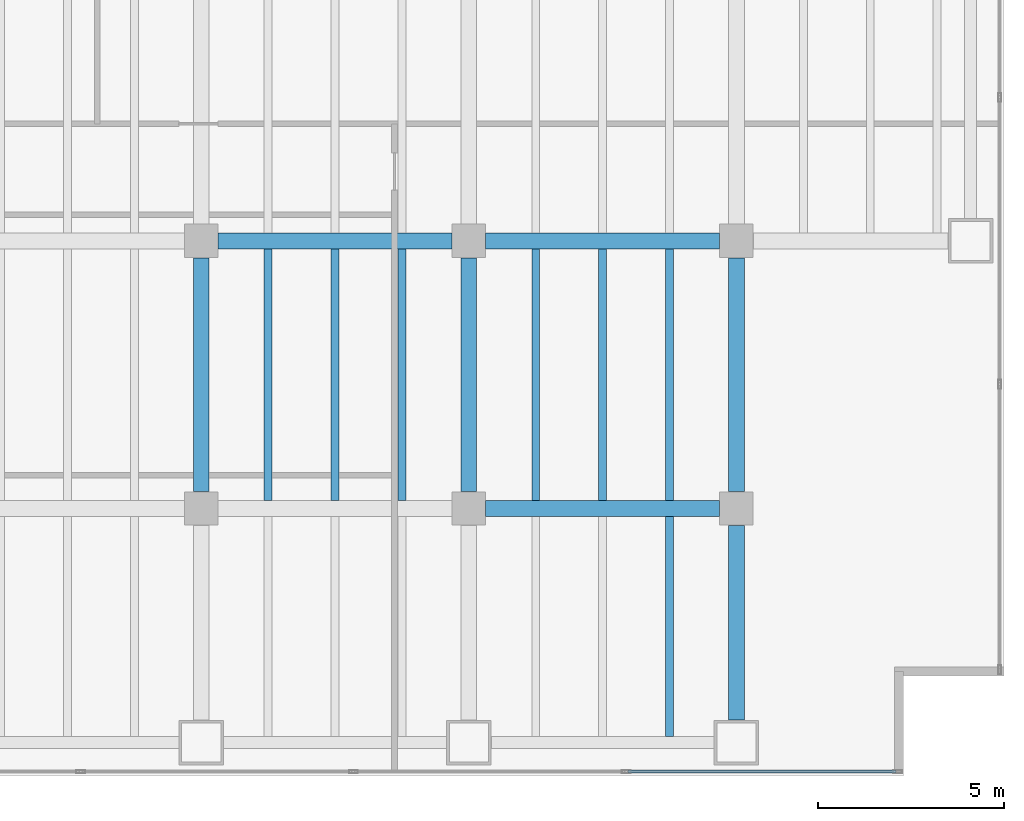
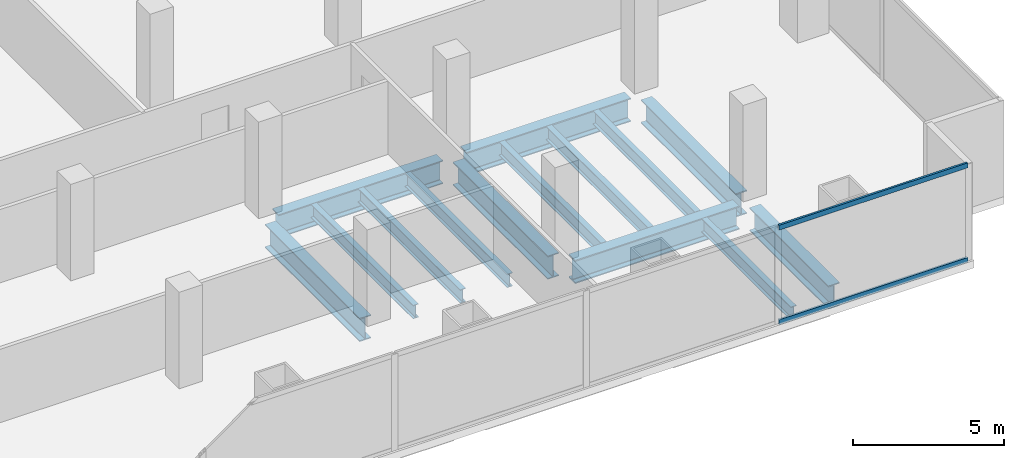
# One storey, part 17 of 29: 14 beams, 2 members, 1 element without a shape of its own.
"""IFC4 building model written with IfcOpenShell, lengths in metres."""

from ifc_helpers import new_model, si_unit, direction, frame, origin, origin_2d, place, context, subcontext, project, spatial, hollow_rectangle, i_section, extrude, material, material_profile, profile_set, type_object, element, aggregate, save


model = new_model("IFC4")

# Units and contexts
model_context = context("Model", 3, precision=1e-05, world=origin(), true_north=direction((0.0, 1.0)))
body_context = subcontext(model_context, "Body", "Model", "MODEL_VIEW")
ifc_project = project(units=[si_unit("LENGTHUNIT", "METRE"), si_unit("AREAUNIT", "SQUARE_METRE"), si_unit("VOLUMEUNIT", "CUBIC_METRE"), si_unit("PLANEANGLEUNIT", "RADIAN"), si_unit("MASSUNIT", "GRAM", prefix="KILO")], contexts=[model_context])

# Site, building, storey
site_placement = place(None, origin())
site = spatial("IfcSite", under=ifc_project, at=site_placement, CompositionType="ELEMENT")
building_placement = place(site_placement, origin())
building = spatial("IfcBuilding", under=site, at=building_placement, Name="Cobrela Telecom Tower", CompositionType="ELEMENT")
storey_placement = place(building_placement, frame((0.0, 0.0, 13.64990234375)))
storey = spatial("IfcBuildingStorey", under=building, at=storey_placement, Name="L03", CompositionType="ELEMENT", Elevation=13.64990234375)

# Beams
ifc_material_1 = material(Name="Steel ASTM A992 Grade 50", Category="steel")
ifc_material_profile_1 = material_profile(ifc_material_1, i_section(OverallWidth=0.424072265625, OverallDepth=0.947021484375, WebThickness=0.02392578125, FlangeThickness=0.042724609375, FilletRadius=0.02392578125, at=origin_2d()), Name="W36X302")
ifc_profile_set_1 = profile_set([ifc_material_profile_1], Name="Steel ASTM A992 Grade 50")
beam_type_1 = type_object("IfcBeamType", Name="BM-GIRD-01", PredefinedType="USERDEFINED", material=ifc_profile_set_1)
for number, where, z_axis, x_axis, name in (
    (1, (72.455078125, 7.199951171875, -0.7734375), (1.0, 0.0, 0.0), (0.0, 1.0, 0.0), "L03 Primary Girder X19"),
    (2, (65.2548828125, 14.39990234375, -0.7734375), (1.0, 0.0, 0.0), (0.0, 1.0, 0.0), "L03 Primary Girder X26"),
    (3, (72.455078125, 14.39990234375, -0.7734375), (1.0, 0.0, 0.0), (0.0, 1.0, 0.0), "L03 Primary Girder X27"),
    (4, (64.800048828125, 7.655029296875, -0.7734375), (0.0, 1.0, 0.0), (-1.0, 0.0, 0.0), "L03 Primary Girder Y92"),
    (5, (72.0, 7.655029296875, -0.7734375), (0.0, 1.0, 0.0), (-1.0, 0.0, 0.0), "L03 Primary Girder Y95"),
):
    element("IfcBeam", number, at=place(storey_placement, frame(where, z_axis=z_axis, x_axis=x_axis)), inside=storey, type_object=beam_type_1, Name=name, ObjectType="GIRDER", PredefinedType="USERDEFINED", context=body_context, shape_type="SweptSolid", body=[
        extrude(i_section(OverallWidth=0.424072265625, OverallDepth=0.947021484375, WebThickness=0.02392578125, FlangeThickness=0.042724609375, FilletRadius=0.02392578125, at=origin_2d()), origin(), (0.0, 0.0, 1.0), 6.2900390625),
    ])
beam_1_placement = place(storey_placement, frame((79.199951171875, 1.5048828125, -0.7734375), z_axis=(0.0, 1.0, 0.0), x_axis=(-1.0, 0.0, 0.0)))
element("IfcBeam", 6, at=beam_1_placement, inside=storey, type_object=beam_type_1, Name="L03 Primary Girder Y97", ObjectType="GIRDER", PredefinedType="USERDEFINED", context=body_context, shape_type="SweptSolid", body=[
    extrude(i_section(OverallWidth=0.424072265625, OverallDepth=0.947021484375, WebThickness=0.02392578125, FlangeThickness=0.042724609375, FilletRadius=0.02392578125, at=origin_2d()), origin(), (0.0, 0.0, 1.0), 5.240234375),
])
beam_2_placement = place(storey_placement, frame((79.199951171875, 7.655029296875, -0.7734375), z_axis=(0.0, 1.0, 0.0), x_axis=(-1.0, 0.0, 0.0)))
element("IfcBeam", 7, at=beam_2_placement, inside=storey, type_object=beam_type_1, Name="L03 Primary Girder Y98", ObjectType="GIRDER", PredefinedType="USERDEFINED", context=body_context, shape_type="SweptSolid", body=[
    extrude(i_section(OverallWidth=0.424072265625, OverallDepth=0.947021484375, WebThickness=0.02392578125, FlangeThickness=0.042724609375, FilletRadius=0.02392578125, at=origin_2d()), origin(), (0.0, 0.0, 1.0), 6.2900390625),
])
ifc_material_profile_2 = material_profile(ifc_material_1, i_section(OverallWidth=0.212890625, OverallDepth=0.549072265625, WebThickness=0.0146484375, FlangeThickness=0.023681640625, FilletRadius=0.013916015625, at=origin_2d()), Name="W21X93")
ifc_profile_set_2 = profile_set([ifc_material_profile_2], Name="Steel ASTM A992 Grade 50")
beam_type_2 = type_object("IfcBeamType", Name="BM-JOIST-01", PredefinedType="JOIST", material=ifc_profile_set_2)
for number, where, z_axis, x_axis, name in (
    (8, (66.60009765625, 7.4169921875, -0.574462890625), (0.0, 1.0, 0.0), (-1.0, 0.0, 0.0), "L03 Secondary Composite Floor Beam J119"),
    (9, (68.39990234375, 7.4169921875, -0.574462890625), (0.0, 1.0, 0.0), (-1.0, 0.0, 0.0), "L03 Secondary Composite Floor Beam J122"),
    (10, (70.199951171875, 7.4169921875, -0.574462890625), (0.0, 1.0, 0.0), (-1.0, 0.0, 0.0), "L03 Secondary Composite Floor Beam J125"),
    (11, (73.800048828125, 7.4169921875, -0.574462890625), (0.0, 1.0, 0.0), (-1.0, 0.0, 0.0), "L03 Secondary Composite Floor Beam J128"),
    (12, (75.60009765625, 7.4169921875, -0.574462890625), (0.0, 1.0, 0.0), (-1.0, 0.0, 0.0), "L03 Secondary Composite Floor Beam J131"),
):
    element("IfcBeam", number, at=place(storey_placement, frame(where, z_axis=z_axis, x_axis=x_axis)), inside=storey, type_object=beam_type_2, Name=name, PredefinedType="JOIST", context=body_context, shape_type="SweptSolid", body=[
        extrude(i_section(OverallWidth=0.212890625, OverallDepth=0.549072265625, WebThickness=0.0146484375, FlangeThickness=0.023681640625, FilletRadius=0.013916015625, at=origin_2d()), origin(), (0.0, 0.0, 1.0), 6.76611328125),
    ])
beam_3_placement = place(storey_placement, frame((77.39990234375, 1.069091796875, -0.574462890625), z_axis=(0.0, 1.0, 0.0), x_axis=(-1.0, 0.0, 0.0)))
element("IfcBeam", 13, at=beam_3_placement, inside=storey, type_object=beam_type_2, Name="L03 Secondary Composite Floor Beam J133", PredefinedType="JOIST", context=body_context, shape_type="SweptSolid", body=[
    extrude(i_section(OverallWidth=0.212890625, OverallDepth=0.549072265625, WebThickness=0.0146484375, FlangeThickness=0.023681640625, FilletRadius=0.013916015625, at=origin_2d()), origin(), (0.0, 0.0, 1.0), 5.913818359375),
])
beam_4_placement = place(storey_placement, frame((77.39990234375, 7.4169921875, -0.574462890625), z_axis=(0.0, 1.0, 0.0), x_axis=(-1.0, 0.0, 0.0)))
element("IfcBeam", 14, at=beam_4_placement, inside=storey, type_object=beam_type_2, Name="L03 Secondary Composite Floor Beam J134", PredefinedType="JOIST", context=body_context, shape_type="SweptSolid", body=[
    extrude(i_section(OverallWidth=0.212890625, OverallDepth=0.549072265625, WebThickness=0.0146484375, FlangeThickness=0.023681640625, FilletRadius=0.013916015625, at=origin_2d()), origin(), (0.0, 0.0, 1.0), 6.76611328125),
])

# Curtain wall, members
ifc_material_2 = material(Name="Anodized Bronze Aluminium 6063-T6", Category="aluminium")
curtain_wall_type = type_object("IfcCurtainWallType", Name="CW-SYS-CONC", PredefinedType="USERDEFINED", material=ifc_material_2)
curtain_wall_placement = place(storey_placement, origin())
curtain_wall = element("IfcCurtainWall", 15, at=curtain_wall_placement, inside=storey, type_object=curtain_wall_type, Name="L03 Unitised Bronze Curtain Wall 17", ObjectType="UNITISED CURTAIN WALL", PredefinedType="USERDEFINED")
ifc_material_profile_3 = material_profile(ifc_material_2, hollow_rectangle(XDim=0.080078125, YDim=0.199951171875, WallThickness=0.00390625, at=origin_2d()), Name="ALU 80x200x4")
ifc_profile_set_3 = profile_set([ifc_material_profile_3], Name="Anodized Bronze Aluminium 6063-T6")
member_type = type_object("IfcMemberType", Name="CW-SYS-CONC-TRN", PredefinedType="USERDEFINED", material=ifc_profile_set_3)
member_1_placement = place(storey_placement, frame((83.5, 0.1201171875, 0.0400390625), z_axis=(-1.0, 0.0, 0.0), x_axis=(0.0, -1.0, 0.0)))
member_1 = element("IfcMember", 16, at=member_1_placement, type_object=member_type, Name="CW-CONC transom 1.1", ObjectType="TRANSOM", PredefinedType="USERDEFINED", context=body_context, shape_type="SweptSolid", body=[
    extrude(hollow_rectangle(XDim=0.080078125, YDim=0.199951171875, WallThickness=0.00390625, at=origin_2d()), origin(), (0.0, 0.0, 1.0), 7.221923828125),
])
member_2_placement = place(storey_placement, frame((83.5, 0.1201171875, 3.8701171875), z_axis=(-1.0, 0.0, 0.0), x_axis=(0.0, -1.0, 0.0)))
member_2 = element("IfcMember", 17, at=member_2_placement, type_object=member_type, Name="CW-CONC transom 1.2", ObjectType="TRANSOM", PredefinedType="USERDEFINED", context=body_context, shape_type="SweptSolid", body=[
    extrude(hollow_rectangle(XDim=0.080078125, YDim=0.199951171875, WallThickness=0.00390625, at=origin_2d()), origin(), (0.0, 0.0, 1.0), 7.221923828125),
])
aggregate(curtain_wall, [member_1, member_2])

save(model, "model.ifc")
